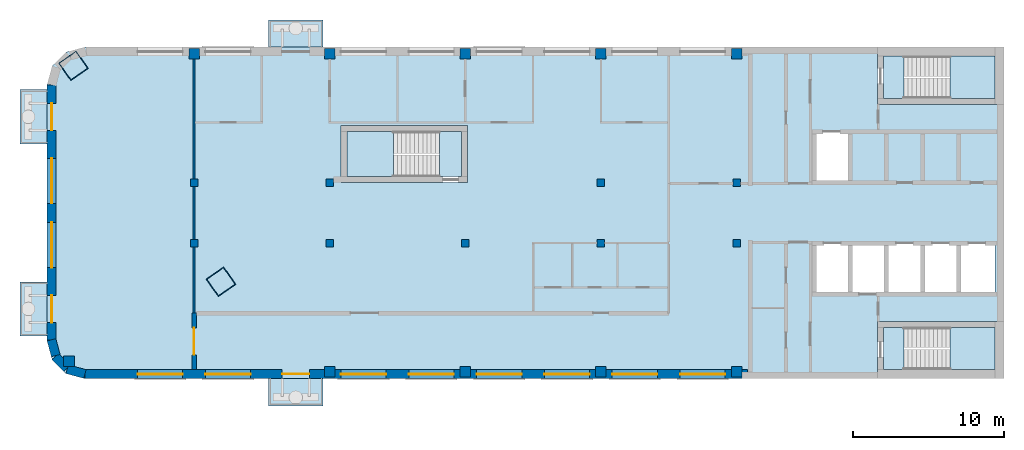
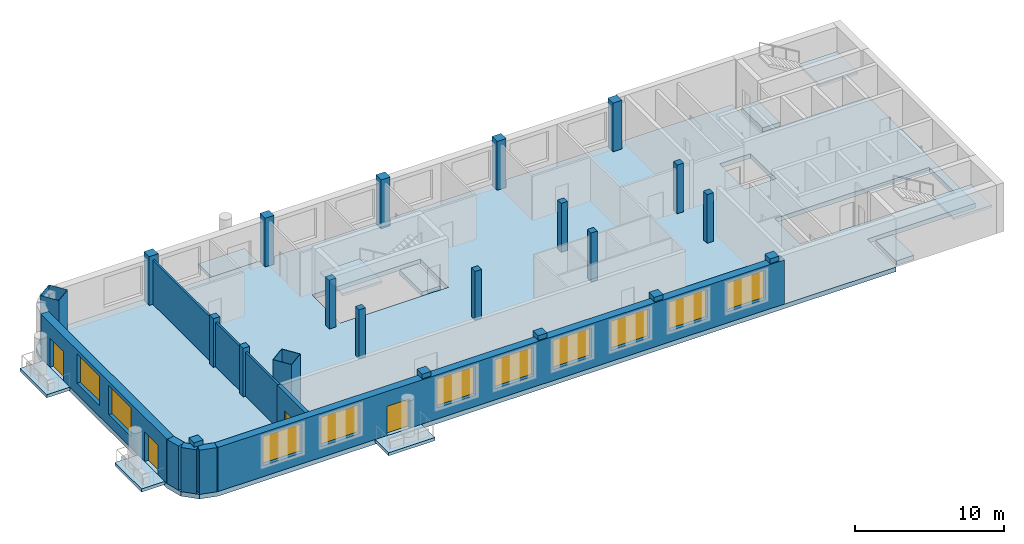
# One storey, part 1 of 7: 21 columns, 11 slabs, 10 windows, 7 walls, 4 doors, 14 openings, 3 elements without a shape of their own.
"""IFC4 building model written with IfcOpenShell, lengths in metres."""

from ifc_helpers import new_model, si_unit, direction, frame, frame_2d, origin, origin_2d, place, context, subcontext, project, spatial, polyline, rectangle, hollow_rectangle, outline, extrude, material, layer, layer_set, material_profile, profile_set, type_object, element, fill, aggregate, save


model = new_model("IFC4")

# Units and contexts
model_context = context("Model", 3, precision=1e-05, world=origin(), true_north=direction((0.0, 1.0)))
body_context = subcontext(model_context, "Body", "Model", "MODEL_VIEW")
ifc_project = project(units=[si_unit("LENGTHUNIT", "METRE"), si_unit("AREAUNIT", "SQUARE_METRE"), si_unit("VOLUMEUNIT", "CUBIC_METRE"), si_unit("PLANEANGLEUNIT", "RADIAN"), si_unit("MASSUNIT", "GRAM", prefix="KILO")], contexts=[model_context])

# Site, building, storey
site_placement = place(None, origin())
site = spatial("IfcSite", under=ifc_project, at=site_placement, CompositionType="ELEMENT")
building_placement = place(site_placement, origin())
building = spatial("IfcBuilding", under=site, at=building_placement, Name="Skarvind Civic Tower", CompositionType="ELEMENT")
storey_placement = place(building_placement, frame((0.0, 0.0, 241.5)))
storey = spatial("IfcBuildingStorey", under=building, at=storey_placement, Name="L57", CompositionType="ELEMENT", Elevation=241.5)

# Columns
ifc_material_1 = material(Name="Concrete C60", Category="concrete")
ifc_material_profile_1 = material_profile(ifc_material_1, rectangle(XDim=0.5, YDim=0.5, at=origin_2d()), Name="RC-500x500")
ifc_profile_set_1 = profile_set([ifc_material_profile_1], Name="Concrete C60")
column_type_1 = type_object("IfcColumnType", Name="Column RC-500x500 C60", PredefinedType="COLUMN", material=ifc_profile_set_1)
for number, where, z_axis, x_axis, name in (
    (1, (54.25, 130.0, 0.0), (0.0, 0.0, 1.0), (1.0, 0.0, 0.0), "Column wing 1 north inner 02 L57"),
    (2, (63.25, 130.0, 0.0), (0.0, 0.0, 1.0), (1.0, 0.0, 0.0), "Column wing 1 north inner 03 L57"),
    (3, (81.25, 130.0, 0.0), (0.0, 0.0, 1.0), (1.0, 0.0, 0.0), "Column wing 1 north inner 05 L57"),
    (4, (90.25, 130.0, 0.0), (0.0, 0.0, 1.0), (1.0, 0.0, 0.0), "Column wing 1 north inner 06 L57"),
    (5, (54.25, 126.0, 0.0), (0.0, 0.0, 1.0), (1.0, 0.0, 0.0), "Column wing 1 south inner 02 L57"),
    (6, (63.25, 126.0, 0.0), (0.0, 0.0, 1.0), (1.0, 0.0, 0.0), "Column wing 1 south inner 03 L57"),
    (7, (72.25, 126.0, 0.0), (0.0, 0.0, 1.0), (1.0, 0.0, 0.0), "Column wing 1 south inner 04 L57"),
    (8, (81.25, 126.0, 0.0), (0.0, 0.0, 1.0), (1.0, 0.0, 0.0), "Column wing 1 south inner 05 L57"),
    (9, (90.25, 126.0, 0.0), (0.0, 0.0, 1.0), (1.0, 0.0, 0.0), "Column wing 1 south inner 06 L57"),
):
    element("IfcColumn", number, at=place(storey_placement, frame(where, z_axis=z_axis, x_axis=x_axis)), inside=storey, type_object=column_type_1, Name=name, PredefinedType="COLUMN", context=body_context, shape_type="SweptSolid", body=[
        extrude(rectangle(XDim=0.5, YDim=0.5, at=origin_2d()), origin(), (0.0, 0.0, 1.0), 4.0),
    ])
ifc_material_profile_2 = material_profile(ifc_material_1, rectangle(XDim=0.699951171875, YDim=0.699951171875, at=origin_2d()), Name="RC-700x700")
ifc_profile_set_2 = profile_set([ifc_material_profile_2], Name="Concrete C60")
column_type_2 = type_object("IfcColumnType", Name="Column RC-700x700 C60", PredefinedType="COLUMN", material=ifc_profile_set_2)
for number, where, z_axis, x_axis, name in (
    (10, (54.25, 138.550048828125, 0.0), (0.0, 0.0, 1.0), (1.0, 0.0, 0.0), "Column wing 1 north perimeter 02 L57"),
    (11, (63.25, 138.550048828125, 0.0), (0.0, 0.0, 1.0), (1.0, 0.0, 0.0), "Column wing 1 north perimeter 03 L57"),
    (12, (72.25, 138.550048828125, 0.0), (0.0, 0.0, 1.0), (1.0, 0.0, 0.0), "Column wing 1 north perimeter 04 L57"),
    (13, (81.25, 138.550048828125, 0.0), (0.0, 0.0, 1.0), (1.0, 0.0, 0.0), "Column wing 1 north perimeter 05 L57"),
    (14, (90.25, 138.550048828125, 0.0), (0.0, 0.0, 1.0), (1.0, 0.0, 0.0), "Column wing 1 north perimeter 06 L57"),
    (15, (45.95166015625, 118.151611328125, 0.0), (0.0, 0.0, 1.0), (1.0, 0.0, 0.0), "Column wing 1 south perimeter 01 L57"),
    (16, (63.25, 117.449951171875, 0.0), (0.0, 0.0, 1.0), (1.0, 0.0, 0.0), "Column wing 1 south perimeter 03 L57"),
    (17, (72.25, 117.449951171875, 0.0), (0.0, 0.0, 1.0), (1.0, 0.0, 0.0), "Column wing 1 south perimeter 04 L57"),
    (18, (81.25, 117.449951171875, 0.0), (0.0, 0.0, 1.0), (1.0, 0.0, 0.0), "Column wing 1 south perimeter 05 L57"),
    (19, (90.25, 117.449951171875, 0.0), (0.0, 0.0, 1.0), (1.0, 0.0, 0.0), "Column wing 1 south perimeter 06 L57"),
):
    element("IfcColumn", number, at=place(storey_placement, frame(where, z_axis=z_axis, x_axis=x_axis)), inside=storey, type_object=column_type_2, Name=name, PredefinedType="COLUMN", context=body_context, shape_type="SweptSolid", body=[
        extrude(rectangle(XDim=0.699951171875, YDim=0.699951171875, at=origin_2d()), origin(), (0.0, 0.0, 1.0), 4.0),
    ])
ifc_material_2 = material(Name="Composite concrete-filled steel tube, Steel SM355 with Concrete C60", Category="concrete")
ifc_material_profile_3 = material_profile(ifc_material_2, hollow_rectangle(XDim=1.39990234375, YDim=1.39990234375, WallThickness=0.02490234375, at=origin_2d()), Name="BOX-1400x1400x25")
ifc_profile_set_3 = profile_set([ifc_material_profile_3], Name="Composite concrete-filled steel tube, Steel SM355 with Concrete C60")
column_type_3 = type_object("IfcColumnType", Name="Mega column BOX-1400x1400x25 filled C60", PredefinedType="COLUMN", material=ifc_profile_set_3)
for number, where, z_axis, x_axis, name in (
    (20, (46.2470703125, 137.762451171875, 0.0), (0.0, 0.0, 1.0), (0.573576436351, -0.819152044289, 0.0), "Mega column 2 L57"),
    (21, (56.0361328125, 123.43017578125, 0.0), (0.0, 0.0, 1.0), (0.573576436351, -0.819152044289, 0.0), "Mega column 4 L57"),
):
    element("IfcColumn", number, at=place(storey_placement, frame(where, z_axis=z_axis, x_axis=x_axis)), inside=storey, type_object=column_type_3, Name=name, PredefinedType="COLUMN", context=body_context, shape_type="SweptSolid", body=[
        extrude(hollow_rectangle(XDim=1.39990234375, YDim=1.39990234375, WallThickness=0.02490234375, at=origin_2d()), origin(), (0.0, 0.0, 1.0), 4.0),
    ])

# Slabs
ifc_material_3 = material(Name="Concrete C50", Category="concrete")
ifc_layer_1 = layer(ifc_material_3, 0.375)
ifc_layer_set_1 = layer_set([ifc_layer_1], Name="Floor slab 375 C50")
slab_type_1 = type_object("IfcSlabType", Name="Floor slab 375 C50", PredefinedType="FLOOR", material=ifc_layer_set_1)
slab_1_placement = place(storey_placement, frame((0.0, 0.0, -0.375)))
element("IfcSlab", 22, at=slab_1_placement, inside=storey, type_object=slab_type_1, Name="Floor slab L57 1", PredefinedType="FLOOR", context=body_context, shape_type="SweptSolid", body=[
    extrude(outline(polyline([(99.60009765625, 117.0), (99.60009765625, 120.800048828125), (108.0, 120.800048828125), (108.0, 135.199951171875), (99.60009765625, 135.199951171875), (99.60009765625, 139.0), (47.0, 139.0), (45.75, 138.6650390625), (44.8349609375, 137.75), (44.5, 136.5), (44.5, 119.5), (44.8349609375, 118.25), (45.75, 117.3349609375), (47.0, 117.0), (99.60009765625, 117.0)]), holes=[polyline([(95.39990234375, 126.0), (97.800048828125, 126.0), (100.199951171875, 126.0), (102.60009765625, 126.0), (105.0, 126.0), (107.39990234375, 126.0), (107.39990234375, 122.60009765625), (105.0, 122.60009765625), (102.60009765625, 122.60009765625), (100.199951171875, 122.60009765625), (97.800048828125, 122.60009765625), (95.39990234375, 122.60009765625), (95.39990234375, 126.0)]), polyline([(95.39990234375, 133.39990234375), (97.800048828125, 133.39990234375), (97.800048828125, 130.0), (95.39990234375, 130.0), (95.39990234375, 133.39990234375)]), polyline([(64.0, 130.0), (64.0, 133.800048828125), (72.39990234375, 133.800048828125), (72.39990234375, 130.0), (64.0, 130.0)])]), origin(), (0.0, 0.0, 1.0), 0.375),
])
ifc_material_4 = material(Name="Precast concrete C40/50", Category="concrete")
ifc_layer_2 = layer(ifc_material_4, 0.25)
ifc_layer_set_2 = layer_set([ifc_layer_2], Name="SX3 BALCONY SLAB 250")
slab_type_2 = type_object("IfcSlabType", Name="SX3 BALCONY SLAB 250", PredefinedType="FLOOR", material=ifc_layer_set_2)
slab_2_placement = place(storey_placement, frame((0.0, 0.0, -0.25)))
element("IfcSlab", 23, at=slab_2_placement, inside=storey, type_object=slab_type_2, Name="TREE BALCONY SLAB", PredefinedType="FLOOR", context=body_context, shape_type="SweptSolid", body=[
    extrude(outline(polyline([(59.199951171875, 139.0), (62.800048828125, 139.0), (62.800048828125, 140.800048828125), (59.199951171875, 140.800048828125), (59.199951171875, 139.0)])), origin(), (0.0, 0.0, 1.0), 0.25),
])
slab_3_placement = place(storey_placement, frame((0.0, 0.0, -0.25)))
element("IfcSlab", 24, at=slab_3_placement, inside=storey, type_object=slab_type_2, Name="TREE BALCONY SLAB", PredefinedType="FLOOR", context=body_context, shape_type="SweptSolid", body=[
    extrude(outline(polyline([(44.5, 119.824951171875), (44.5, 123.425048828125), (42.699951171875, 123.425048828125), (42.699951171875, 119.824951171875), (44.5, 119.824951171875)])), origin(), (0.0, 0.0, 1.0), 0.25),
])
slab_4_placement = place(storey_placement, frame((0.0, 0.0, -0.25)))
element("IfcSlab", 25, at=slab_4_placement, inside=storey, type_object=slab_type_2, Name="TREE BALCONY SLAB", PredefinedType="FLOOR", context=body_context, shape_type="SweptSolid", body=[
    extrude(outline(polyline([(44.5, 132.574951171875), (44.5, 136.175048828125), (42.699951171875, 136.175048828125), (42.699951171875, 132.574951171875), (44.5, 132.574951171875)])), origin(), (0.0, 0.0, 1.0), 0.25),
])
slab_5_placement = place(storey_placement, frame((0.0, 0.0, -0.25)))
element("IfcSlab", 26, at=slab_5_placement, inside=storey, type_object=slab_type_2, Name="TREE BALCONY SLAB", PredefinedType="FLOOR", context=body_context, shape_type="SweptSolid", body=[
    extrude(outline(polyline([(62.800048828125, 117.0), (59.199951171875, 117.0), (59.199951171875, 115.199951171875), (62.800048828125, 115.199951171875), (62.800048828125, 117.0)])), origin(), (0.0, 0.0, 1.0), 0.25),
])
ifc_material_5 = material(Name="Concrete C40/50", Category="concrete")
ifc_layer_3 = layer(ifc_material_5, 0.375)
ifc_layer_set_3 = layer_set([ifc_layer_3], Name="Stair floor landing slab 375")
slab_type_3 = type_object("IfcSlabType", Name="Stair floor landing slab 375", PredefinedType="LANDING", material=ifc_layer_set_3)
slab_6_placement = place(storey_placement, frame((0.0, 0.0, -0.375)))
element("IfcSlab", 27, at=slab_6_placement, inside=storey, type_object=slab_type_3, Name="Stair floor landing", PredefinedType="LANDING", context=body_context, shape_type="SweptSolid", body=[
    extrude(outline(polyline([(101.3505859375, 138.400634765625), (101.3505859375, 135.599365234375), (99.99951171875, 135.599365234375), (99.99951171875, 138.400634765625), (101.3505859375, 138.400634765625)])), origin(), (0.0, 0.0, 1.0), 0.375),
])
slab_7_placement = place(storey_placement, frame((0.0, 0.0, -0.375)))
element("IfcSlab", 28, at=slab_7_placement, inside=storey, type_object=slab_type_3, Name="Stair floor landing", PredefinedType="LANDING", context=body_context, shape_type="SweptSolid", body=[
    extrude(outline(polyline([(101.3505859375, 120.400634765625), (101.3505859375, 117.599365234375), (99.99951171875, 117.599365234375), (99.99951171875, 120.400634765625), (101.3505859375, 120.400634765625)])), origin(), (0.0, 0.0, 1.0), 0.375),
])
slab_8_placement = place(storey_placement, frame((0.0, 0.0, -0.375)))
element("IfcSlab", 29, at=slab_8_placement, inside=storey, type_object=slab_type_3, Name="Stair floor landing", PredefinedType="LANDING", context=body_context, shape_type="SweptSolid", body=[
    extrude(outline(polyline([(70.54931640625, 130.3994140625), (70.54931640625, 133.400634765625), (72.00048828125, 133.400634765625), (72.00048828125, 130.3994140625), (70.54931640625, 130.3994140625)])), origin(), (0.0, 0.0, 1.0), 0.375),
])

# Stair, slab
stair_type_1 = type_object("IfcStairType", Name="Exit stair, half-turn, concrete", PredefinedType="HALF_TURN_STAIR", material=ifc_material_5)
stair_1_placement = place(storey_placement, origin())
stair_1 = element("IfcStair", 30, at=stair_1_placement, inside=storey, type_object=stair_type_1, Name="Exit stair C1S", PredefinedType="HALF_TURN_STAIR")
ifc_layer_4 = layer(ifc_material_5, 0.199951171875)
ifc_layer_set_4 = layer_set([ifc_layer_4], Name="Stair half landing slab")
slab_type_4 = type_object("IfcSlabType", Name="Stair half landing slab", PredefinedType="LANDING", material=ifc_layer_set_4)
slab_9_placement = place(storey_placement, frame((0.0, 0.0, 1.800048828125)))
slab_9 = element("IfcSlab", 31, at=slab_9_placement, type_object=slab_type_4, Name="ST-C1S landing 1", PredefinedType="LANDING", context=body_context, shape_type="SweptSolid", body=[
    extrude(outline(polyline([(104.429443359375, 135.599365234375), (104.429443359375, 138.400634765625), (107.400634765625, 138.400634765625), (107.400634765625, 135.599365234375), (104.429443359375, 135.599365234375)])), origin(), (0.0, 0.0, 1.0), 0.199951171875),
])
aggregate(stair_1, [slab_9])

stair_2_placement = place(storey_placement, origin())
stair_2 = element("IfcStair", 32, at=stair_2_placement, inside=storey, type_object=stair_type_1, Name="Exit stair C1N", PredefinedType="HALF_TURN_STAIR")
slab_10_placement = place(storey_placement, frame((0.0, 0.0, 1.800048828125)))
slab_10 = element("IfcSlab", 33, at=slab_10_placement, type_object=slab_type_4, Name="ST-C1N landing 1", PredefinedType="LANDING", context=body_context, shape_type="SweptSolid", body=[
    extrude(outline(polyline([(104.429443359375, 117.599365234375), (104.429443359375, 120.400634765625), (107.400634765625, 120.400634765625), (107.400634765625, 117.599365234375), (104.429443359375, 117.599365234375)])), origin(), (0.0, 0.0, 1.0), 0.199951171875),
])
aggregate(stair_2, [slab_10])

stair_type_2 = type_object("IfcStairType", Name="Exit stair 1450, half-turn, concrete", PredefinedType="HALF_TURN_STAIR", material=ifc_material_5)
stair_3_placement = place(storey_placement, origin())
stair_3 = element("IfcStair", 34, at=stair_3_placement, inside=storey, type_object=stair_type_2, Name="Exit stair CM", PredefinedType="HALF_TURN_STAIR")
slab_11_placement = place(storey_placement, frame((0.0, 0.0, 1.800048828125)))
slab_11 = element("IfcSlab", 35, at=slab_11_placement, type_object=slab_type_4, Name="ST-CM landing 1", PredefinedType="LANDING", context=body_context, shape_type="SweptSolid", body=[
    extrude(outline(polyline([(67.470703125, 133.400634765625), (67.470703125, 130.3994140625), (64.3994140625, 130.3994140625), (64.3994140625, 133.400634765625), (67.470703125, 133.400634765625)])), origin(), (0.0, 0.0, 1.0), 0.199951171875),
])
aggregate(stair_3, [slab_11])

# Wall, opening, door
ifc_material_6 = material(Name="Fire-rated gypsum board on steel studs", Category="steel")
ifc_layer_5 = layer(ifc_material_6, 0.300048828125)
ifc_layer_set_5 = layer_set([ifc_layer_5], Name="CORRIDOR WALL 300")
wall_type_1 = type_object("IfcWallType", Name="CORRIDOR WALL 300", PredefinedType="PARTITIONING", material=ifc_layer_set_5)
wall_1_placement = place(storey_placement, frame((54.25, 117.60009765625, 0.0), z_axis=(0.0, 0.0, 1.0), x_axis=(0.0, 1.0, 0.0)))
wall_1 = element("IfcWall", 36, at=wall_1_placement, inside=storey, type_object=wall_type_1, Name="Partition 57.001", PredefinedType="PARTITIONING", context=body_context, shape_type="SweptSolid", body=[
    extrude(rectangle(XDim=3.75, YDim=0.300048828125, at=frame_2d((1.875, 0.0))), origin(), (0.0, 0.0, 1.0), 3.625),
])
opening_1_placement = place(wall_1_placement, frame((0.9765625, 0.0, 0.0)))
opening_1 = element("IfcOpeningElement", 37, at=opening_1_placement, cuts=wall_1, Name="Opening L57-D011", PredefinedType="OPENING", context=body_context, shape_type="SweptSolid", body=[
    extrude(rectangle(XDim=1.800048828125, YDim=2.10009765625, at=frame_2d((0.89990234375, 1.050048828125))), frame((0.0, 0.159912109375, 0.0), z_axis=(0.0, -1.0, 0.0), x_axis=(1.0, 0.0, 0.0)), (0.0, 0.0, 1.0), 0.320068359375),
])
ifc_material_7 = material(Name="Fire-rated timber door leaf", Category="wood")
door_type_1 = type_object("IfcDoorType", Name="FD4 1800x2100", OperationType="NOTDEFINED", PredefinedType="DOOR", material=ifc_material_7)
door_1_placement = place(opening_1_placement, origin())
door_1 = element("IfcDoor", 38, at=door_1_placement, inside=storey, type_object=door_type_1, Name="Door L57-D011", OperationType="DOUBLE_DOOR_SINGLE_SWING", OverallHeight=2.10009765625, OverallWidth=1.800048828125, PredefinedType="DOOR", context=body_context, shape_type="SweptSolid", body=[
    extrude(rectangle(XDim=1.800048828125, YDim=2.10009765625, at=frame_2d((0.89990234375, 1.050048828125))), frame((0.0, 0.02490234375, 0.0), z_axis=(0.0, -1.0, 0.0), x_axis=(1.0, 0.0, 0.0)), (0.0, 0.0, 1.0), 0.050048828125),
])
fill(opening_1, door_1)

# Wall
ifc_material_8 = material(Name="Plasterboard partition on steel studs", Category="steel")
ifc_layer_6 = layer(ifc_material_8, 0.14990234375)
ifc_layer_set_6 = layer_set([ifc_layer_6], Name="PARTITION 150")
wall_type_2 = type_object("IfcWallType", Name="PARTITION 150", PredefinedType="PARTITIONING", material=ifc_layer_set_6)
wall_2_placement = place(storey_placement, frame((54.25, 121.35009765625, 0.0), z_axis=(0.0, 0.0, 1.0), x_axis=(0.0, 1.0, 0.0)))
element("IfcWall", 39, at=wall_2_placement, inside=storey, type_object=wall_type_2, Name="Partition 57.002", PredefinedType="PARTITIONING", context=body_context, shape_type="SweptSolid", body=[
    extrude(rectangle(XDim=17.0498046875, YDim=0.14990234375, at=frame_2d((8.52490234375, 0.0))), origin(), (0.0, 0.0, 1.0), 3.625),
])

# Wall, openings, doors, windows
ifc_material_9 = material(Name="Standing-seam zinc cladding on insulated backing")
ifc_layer_7 = layer(ifc_material_9, 0.60009765625)
ifc_layer_set_7 = layer_set([ifc_layer_7], Name="WX2 ZINC-CLAD FACADE WALL 600")
wall_type_3 = type_object("IfcWallType", Name="WX2 ZINC-CLAD FACADE WALL 600", PredefinedType="SOLIDWALL", material=ifc_layer_set_7)
wall_3_placement = place(storey_placement, frame((44.800048828125, 119.570068359375, 0.0), z_axis=(0.0, 0.0, 1.0), x_axis=(0.0, 1.0, 0.0)))
wall_3 = element("IfcWall", 40, at=wall_3_placement, inside=storey, type_object=wall_type_3, Name="ZINC-CLAD FACADE WALL", PredefinedType="SOLIDWALL", context=body_context, shape_type="SweptSolid", body=[
    extrude(rectangle(XDim=16.929931640625, YDim=0.60009765625, at=frame_2d((8.46484375, 0.0))), origin(), (0.0, 0.0, 1.0), 3.625),
])
opening_2_placement = place(wall_3_placement, frame((1.155029296875, 0.0, 0.0)))
opening_2 = element("IfcOpeningElement", 41, at=opening_2_placement, cuts=wall_3, Name="Opening DX3", PredefinedType="OPENING", context=body_context, shape_type="SweptSolid", body=[
    extrude(rectangle(XDim=1.800048828125, YDim=2.39990234375, at=frame_2d((0.89990234375, 1.199951171875))), frame((0.0, 0.31005859375, 0.0), z_axis=(0.0, -1.0, 0.0), x_axis=(1.0, 0.0, 0.0)), (0.0, 0.0, 1.0), 0.6201171875),
])
opening_3_placement = place(wall_3_placement, frame((4.804931640625, 0.0, 0.89990234375)))
opening_3 = element("IfcOpeningElement", 42, at=opening_3_placement, cuts=wall_3, Name="Opening WN4", PredefinedType="OPENING", context=body_context, shape_type="SweptSolid", body=[
    extrude(rectangle(XDim=3.0, YDim=2.39990234375, at=frame_2d((1.5, 1.199951171875))), frame((0.0, 0.31005859375, 0.0), z_axis=(0.0, -1.0, 0.0), x_axis=(1.0, 0.0, 0.0)), (0.0, 0.0, 1.0), 0.6201171875),
])
opening_4_placement = place(wall_3_placement, frame((9.054931640625, 0.0, 0.89990234375)))
opening_4 = element("IfcOpeningElement", 43, at=opening_4_placement, cuts=wall_3, Name="Opening WN4", PredefinedType="OPENING", context=body_context, shape_type="SweptSolid", body=[
    extrude(rectangle(XDim=3.0, YDim=2.39990234375, at=frame_2d((1.5, 1.199951171875))), frame((0.0, 0.31005859375, 0.0), z_axis=(0.0, -1.0, 0.0), x_axis=(1.0, 0.0, 0.0)), (0.0, 0.0, 1.0), 0.6201171875),
])
opening_5_placement = place(wall_3_placement, frame((13.905029296875, 0.0, 0.0)))
opening_5 = element("IfcOpeningElement", 44, at=opening_5_placement, cuts=wall_3, Name="Opening DX3", PredefinedType="OPENING", context=body_context, shape_type="SweptSolid", body=[
    extrude(rectangle(XDim=1.800048828125, YDim=2.39990234375, at=frame_2d((0.89990234375, 1.199951171875))), frame((0.0, 0.31005859375, 0.0), z_axis=(0.0, -1.0, 0.0), x_axis=(1.0, 0.0, 0.0)), (0.0, 0.0, 1.0), 0.6201171875),
])
ifc_material_10 = material(Name="Timber and glass doorset", Category="wood")
door_type_2 = type_object("IfcDoorType", Name="DX3 TERRACE DOORS 1800 x 2400", OperationType="NOTDEFINED", PredefinedType="DOOR", material=ifc_material_10)
door_2_placement = place(opening_2_placement, origin())
door_2 = element("IfcDoor", 45, at=door_2_placement, inside=storey, type_object=door_type_2, Name="TERRACE DOORS", OperationType="DOUBLE_DOOR_SINGLE_SWING", OverallHeight=2.39990234375, OverallWidth=1.800048828125, PredefinedType="DOOR", context=body_context, shape_type="SweptSolid", body=[
    extrude(rectangle(XDim=1.800048828125, YDim=2.39990234375, at=frame_2d((0.89990234375, 1.199951171875))), frame((0.0, 0.02490234375, 0.0), z_axis=(0.0, -1.0, 0.0), x_axis=(1.0, 0.0, 0.0)), (0.0, 0.0, 1.0), 0.050048828125),
])
fill(opening_2, door_2)
door_3_placement = place(opening_5_placement, origin())
door_3 = element("IfcDoor", 46, at=door_3_placement, inside=storey, type_object=door_type_2, Name="TERRACE DOORS", OperationType="DOUBLE_DOOR_SINGLE_SWING", OverallHeight=2.39990234375, OverallWidth=1.800048828125, PredefinedType="DOOR", context=body_context, shape_type="SweptSolid", body=[
    extrude(rectangle(XDim=1.800048828125, YDim=2.39990234375, at=frame_2d((0.89990234375, 1.199951171875))), frame((0.0, 0.02490234375, 0.0), z_axis=(0.0, -1.0, 0.0), x_axis=(1.0, 0.0, 0.0)), (0.0, 0.0, 1.0), 0.050048828125),
])
fill(opening_5, door_3)
ifc_material_11 = material(Name="Timber frame, double glazing, copper-lined reveal", Category="wood")
window_type = type_object("IfcWindowType", Name="WN4 COPPER-LINED WINDOW 3000 x 2400", PartitioningType="SINGLE_PANEL", PredefinedType="WINDOW", material=ifc_material_11)
window_1_placement = place(opening_3_placement, origin())
window_1 = element("IfcWindow", 47, at=window_1_placement, inside=storey, type_object=window_type, Name="WN4 WINDOW", OverallHeight=2.39990234375, OverallWidth=3.0, PartitioningType="SINGLE_PANEL", PredefinedType="WINDOW", context=body_context, shape_type="SweptSolid", body=[
    extrude(rectangle(XDim=3.0, YDim=2.39990234375, at=frame_2d((1.5, 1.199951171875))), frame((0.0, 0.030029296875, 0.0), z_axis=(0.0, -1.0, 0.0), x_axis=(1.0, 0.0, 0.0)), (0.0, 0.0, 1.0), 0.06005859375),
])
fill(opening_3, window_1)
window_2_placement = place(opening_4_placement, origin())
window_2 = element("IfcWindow", 48, at=window_2_placement, inside=storey, type_object=window_type, Name="WN4 WINDOW", OverallHeight=2.39990234375, OverallWidth=3.0, PartitioningType="SINGLE_PANEL", PredefinedType="WINDOW", context=body_context, shape_type="SweptSolid", body=[
    extrude(rectangle(XDim=3.0, YDim=2.39990234375, at=frame_2d((1.5, 1.199951171875))), frame((0.0, 0.030029296875, 0.0), z_axis=(0.0, -1.0, 0.0), x_axis=(1.0, 0.0, 0.0)), (0.0, 0.0, 1.0), 0.06005859375),
])
fill(opening_4, window_2)

# Walls
wall_4_placement = place(storey_placement, frame((45.0703125, 118.530517578125, 0.0), z_axis=(0.0, 0.0, 1.0), x_axis=(-0.25876985698, 0.965939004864, 0.0)))
element("IfcWall", 49, at=wall_4_placement, inside=storey, type_object=wall_type_3, Name="ZINC-CLAD FACADE WALL", PredefinedType="SOLIDWALL", context=body_context, shape_type="SweptSolid", body=[
    extrude(rectangle(XDim=1.083984375, YDim=0.60009765625, at=frame_2d((0.5419921875, 0.0))), origin(), (0.0, 0.0, 1.0), 3.625),
])
wall_5_placement = place(storey_placement, frame((45.813720703125, 117.695556640625, 0.0), z_axis=(0.0, 0.0, 1.0), x_axis=(-0.707106781187, 0.707106781187, 0.0)))
element("IfcWall", 50, at=wall_5_placement, inside=storey, type_object=wall_type_3, Name="ZINC-CLAD FACADE WALL", PredefinedType="SOLIDWALL", context=body_context, shape_type="SweptSolid", body=[
    extrude(rectangle(XDim=1.084228515625, YDim=0.60009765625, at=frame_2d((0.5419921875, 0.0))), origin(), (0.0, 0.0, 1.0), 3.625),
])
wall_6_placement = place(storey_placement, frame((47.010009765625, 117.307861328125, 0.0), z_axis=(0.0, 0.0, 1.0), x_axis=(-0.965909766102, 0.258878975098, 0.0)))
element("IfcWall", 51, at=wall_6_placement, inside=storey, type_object=wall_type_3, Name="ZINC-CLAD FACADE WALL", PredefinedType="SOLIDWALL", context=body_context, shape_type="SweptSolid", body=[
    extrude(rectangle(XDim=1.22412109375, YDim=0.60009765625, at=frame_2d((0.612060546875, 0.0))), origin(), (0.0, 0.0, 1.0), 3.625),
])

# Wall, openings, door, windows
wall_7_placement = place(storey_placement, frame((90.97998046875, 117.300048828125, 0.0), z_axis=(0.0, 0.0, 1.0), x_axis=(-1.0, 0.0, 0.0)))
wall_7 = element("IfcWall", 52, at=wall_7_placement, inside=storey, type_object=wall_type_3, Name="ZINC-CLAD FACADE WALL", PredefinedType="SOLIDWALL", context=body_context, shape_type="SweptSolid", body=[
    extrude(rectangle(XDim=43.97998046875, YDim=0.60009765625, at=frame_2d((21.989990234375, 0.0))), origin(), (0.0, 0.0, 1.0), 3.625),
])
opening_6_placement = place(wall_7_placement, frame((1.47998046875, 0.0, 0.89990234375)))
opening_6 = element("IfcOpeningElement", 53, at=opening_6_placement, cuts=wall_7, Name="Opening WN4", PredefinedType="OPENING", context=body_context, shape_type="SweptSolid", body=[
    extrude(rectangle(XDim=3.0, YDim=2.39990234375, at=frame_2d((1.5, 1.199951171875))), frame((0.0, 0.31005859375, 0.0), z_axis=(0.0, -1.0, 0.0), x_axis=(1.0, 0.0, 0.0)), (0.0, 0.0, 1.0), 0.6201171875),
])
opening_7_placement = place(wall_7_placement, frame((5.97998046875, 0.0, 0.89990234375)))
opening_7 = element("IfcOpeningElement", 54, at=opening_7_placement, cuts=wall_7, Name="Opening WN4", PredefinedType="OPENING", context=body_context, shape_type="SweptSolid", body=[
    extrude(rectangle(XDim=3.0, YDim=2.39990234375, at=frame_2d((1.5, 1.199951171875))), frame((0.0, 0.31005859375, 0.0), z_axis=(0.0, -1.0, 0.0), x_axis=(1.0, 0.0, 0.0)), (0.0, 0.0, 1.0), 0.6201171875),
])
opening_8_placement = place(wall_7_placement, frame((10.47998046875, 0.0, 0.89990234375)))
opening_8 = element("IfcOpeningElement", 55, at=opening_8_placement, cuts=wall_7, Name="Opening WN4", PredefinedType="OPENING", context=body_context, shape_type="SweptSolid", body=[
    extrude(rectangle(XDim=3.0, YDim=2.39990234375, at=frame_2d((1.5, 1.199951171875))), frame((0.0, 0.31005859375, 0.0), z_axis=(0.0, -1.0, 0.0), x_axis=(1.0, 0.0, 0.0)), (0.0, 0.0, 1.0), 0.6201171875),
])
opening_9_placement = place(wall_7_placement, frame((14.97998046875, 0.0, 0.89990234375)))
opening_9 = element("IfcOpeningElement", 56, at=opening_9_placement, cuts=wall_7, Name="Opening WN4", PredefinedType="OPENING", context=body_context, shape_type="SweptSolid", body=[
    extrude(rectangle(XDim=3.0, YDim=2.39990234375, at=frame_2d((1.5, 1.199951171875))), frame((0.0, 0.31005859375, 0.0), z_axis=(0.0, -1.0, 0.0), x_axis=(1.0, 0.0, 0.0)), (0.0, 0.0, 1.0), 0.6201171875),
])
opening_10_placement = place(wall_7_placement, frame((19.47998046875, 0.0, 0.89990234375)))
opening_10 = element("IfcOpeningElement", 57, at=opening_10_placement, cuts=wall_7, Name="Opening WN4", PredefinedType="OPENING", context=body_context, shape_type="SweptSolid", body=[
    extrude(rectangle(XDim=3.0, YDim=2.39990234375, at=frame_2d((1.5, 1.199951171875))), frame((0.0, 0.31005859375, 0.0), z_axis=(0.0, -1.0, 0.0), x_axis=(1.0, 0.0, 0.0)), (0.0, 0.0, 1.0), 0.6201171875),
])
opening_11_placement = place(wall_7_placement, frame((23.97998046875, 0.0, 0.89990234375)))
opening_11 = element("IfcOpeningElement", 58, at=opening_11_placement, cuts=wall_7, Name="Opening WN4", PredefinedType="OPENING", context=body_context, shape_type="SweptSolid", body=[
    extrude(rectangle(XDim=3.0, YDim=2.39990234375, at=frame_2d((1.5, 1.199951171875))), frame((0.0, 0.31005859375, 0.0), z_axis=(0.0, -1.0, 0.0), x_axis=(1.0, 0.0, 0.0)), (0.0, 0.0, 1.0), 0.6201171875),
])
opening_12_placement = place(wall_7_placement, frame((29.080078125, 0.0, 0.0)))
opening_12 = element("IfcOpeningElement", 59, at=opening_12_placement, cuts=wall_7, Name="Opening DX3", PredefinedType="OPENING", context=body_context, shape_type="SweptSolid", body=[
    extrude(rectangle(XDim=1.800048828125, YDim=2.39990234375, at=frame_2d((0.89990234375, 1.199951171875))), frame((0.0, 0.31005859375, 0.0), z_axis=(0.0, -1.0, 0.0), x_axis=(1.0, 0.0, 0.0)), (0.0, 0.0, 1.0), 0.6201171875),
])
opening_13_placement = place(wall_7_placement, frame((32.97998046875, 0.0, 0.89990234375)))
opening_13 = element("IfcOpeningElement", 60, at=opening_13_placement, cuts=wall_7, Name="Opening WN4", PredefinedType="OPENING", context=body_context, shape_type="SweptSolid", body=[
    extrude(rectangle(XDim=3.0, YDim=2.39990234375, at=frame_2d((1.5, 1.199951171875))), frame((0.0, 0.31005859375, 0.0), z_axis=(0.0, -1.0, 0.0), x_axis=(1.0, 0.0, 0.0)), (0.0, 0.0, 1.0), 0.6201171875),
])
opening_14_placement = place(wall_7_placement, frame((37.47998046875, 0.0, 0.89990234375)))
opening_14 = element("IfcOpeningElement", 61, at=opening_14_placement, cuts=wall_7, Name="Opening WN4", PredefinedType="OPENING", context=body_context, shape_type="SweptSolid", body=[
    extrude(rectangle(XDim=3.0, YDim=2.39990234375, at=frame_2d((1.5, 1.199951171875))), frame((0.0, 0.31005859375, 0.0), z_axis=(0.0, -1.0, 0.0), x_axis=(1.0, 0.0, 0.0)), (0.0, 0.0, 1.0), 0.6201171875),
])
door_4_placement = place(opening_12_placement, origin())
door_4 = element("IfcDoor", 62, at=door_4_placement, inside=storey, type_object=door_type_2, Name="TERRACE DOORS", OperationType="DOUBLE_DOOR_SINGLE_SWING", OverallHeight=2.39990234375, OverallWidth=1.800048828125, PredefinedType="DOOR", context=body_context, shape_type="SweptSolid", body=[
    extrude(rectangle(XDim=1.800048828125, YDim=2.39990234375, at=frame_2d((0.89990234375, 1.199951171875))), frame((0.0, 0.02490234375, 0.0), z_axis=(0.0, -1.0, 0.0), x_axis=(1.0, 0.0, 0.0)), (0.0, 0.0, 1.0), 0.050048828125),
])
fill(opening_12, door_4)
window_3_placement = place(opening_6_placement, origin())
window_3 = element("IfcWindow", 63, at=window_3_placement, inside=storey, type_object=window_type, Name="WN4 WINDOW", OverallHeight=2.39990234375, OverallWidth=3.0, PartitioningType="SINGLE_PANEL", PredefinedType="WINDOW", context=body_context, shape_type="SweptSolid", body=[
    extrude(rectangle(XDim=3.0, YDim=2.39990234375, at=frame_2d((1.5, 1.199951171875))), frame((0.0, 0.030029296875, 0.0), z_axis=(0.0, -1.0, 0.0), x_axis=(1.0, 0.0, 0.0)), (0.0, 0.0, 1.0), 0.06005859375),
])
fill(opening_6, window_3)
window_4_placement = place(opening_7_placement, origin())
window_4 = element("IfcWindow", 64, at=window_4_placement, inside=storey, type_object=window_type, Name="WN4 WINDOW", OverallHeight=2.39990234375, OverallWidth=3.0, PartitioningType="SINGLE_PANEL", PredefinedType="WINDOW", context=body_context, shape_type="SweptSolid", body=[
    extrude(rectangle(XDim=3.0, YDim=2.39990234375, at=frame_2d((1.5, 1.199951171875))), frame((0.0, 0.030029296875, 0.0), z_axis=(0.0, -1.0, 0.0), x_axis=(1.0, 0.0, 0.0)), (0.0, 0.0, 1.0), 0.06005859375),
])
fill(opening_7, window_4)
window_5_placement = place(opening_8_placement, origin())
window_5 = element("IfcWindow", 65, at=window_5_placement, inside=storey, type_object=window_type, Name="WN4 WINDOW", OverallHeight=2.39990234375, OverallWidth=3.0, PartitioningType="SINGLE_PANEL", PredefinedType="WINDOW", context=body_context, shape_type="SweptSolid", body=[
    extrude(rectangle(XDim=3.0, YDim=2.39990234375, at=frame_2d((1.5, 1.199951171875))), frame((0.0, 0.030029296875, 0.0), z_axis=(0.0, -1.0, 0.0), x_axis=(1.0, 0.0, 0.0)), (0.0, 0.0, 1.0), 0.06005859375),
])
fill(opening_8, window_5)
window_6_placement = place(opening_9_placement, origin())
window_6 = element("IfcWindow", 66, at=window_6_placement, inside=storey, type_object=window_type, Name="WN4 WINDOW", OverallHeight=2.39990234375, OverallWidth=3.0, PartitioningType="SINGLE_PANEL", PredefinedType="WINDOW", context=body_context, shape_type="SweptSolid", body=[
    extrude(rectangle(XDim=3.0, YDim=2.39990234375, at=frame_2d((1.5, 1.199951171875))), frame((0.0, 0.030029296875, 0.0), z_axis=(0.0, -1.0, 0.0), x_axis=(1.0, 0.0, 0.0)), (0.0, 0.0, 1.0), 0.06005859375),
])
fill(opening_9, window_6)
window_7_placement = place(opening_10_placement, origin())
window_7 = element("IfcWindow", 67, at=window_7_placement, inside=storey, type_object=window_type, Name="WN4 WINDOW", OverallHeight=2.39990234375, OverallWidth=3.0, PartitioningType="SINGLE_PANEL", PredefinedType="WINDOW", context=body_context, shape_type="SweptSolid", body=[
    extrude(rectangle(XDim=3.0, YDim=2.39990234375, at=frame_2d((1.5, 1.199951171875))), frame((0.0, 0.030029296875, 0.0), z_axis=(0.0, -1.0, 0.0), x_axis=(1.0, 0.0, 0.0)), (0.0, 0.0, 1.0), 0.06005859375),
])
fill(opening_10, window_7)
window_8_placement = place(opening_11_placement, origin())
window_8 = element("IfcWindow", 68, at=window_8_placement, inside=storey, type_object=window_type, Name="WN4 WINDOW", OverallHeight=2.39990234375, OverallWidth=3.0, PartitioningType="SINGLE_PANEL", PredefinedType="WINDOW", context=body_context, shape_type="SweptSolid", body=[
    extrude(rectangle(XDim=3.0, YDim=2.39990234375, at=frame_2d((1.5, 1.199951171875))), frame((0.0, 0.030029296875, 0.0), z_axis=(0.0, -1.0, 0.0), x_axis=(1.0, 0.0, 0.0)), (0.0, 0.0, 1.0), 0.06005859375),
])
fill(opening_11, window_8)
window_9_placement = place(opening_13_placement, origin())
window_9 = element("IfcWindow", 69, at=window_9_placement, inside=storey, type_object=window_type, Name="WN4 WINDOW", OverallHeight=2.39990234375, OverallWidth=3.0, PartitioningType="SINGLE_PANEL", PredefinedType="WINDOW", context=body_context, shape_type="SweptSolid", body=[
    extrude(rectangle(XDim=3.0, YDim=2.39990234375, at=frame_2d((1.5, 1.199951171875))), frame((0.0, 0.030029296875, 0.0), z_axis=(0.0, -1.0, 0.0), x_axis=(1.0, 0.0, 0.0)), (0.0, 0.0, 1.0), 0.06005859375),
])
fill(opening_13, window_9)
window_10_placement = place(opening_14_placement, origin())
window_10 = element("IfcWindow", 70, at=window_10_placement, inside=storey, type_object=window_type, Name="WN4 WINDOW", OverallHeight=2.39990234375, OverallWidth=3.0, PartitioningType="SINGLE_PANEL", PredefinedType="WINDOW", context=body_context, shape_type="SweptSolid", body=[
    extrude(rectangle(XDim=3.0, YDim=2.39990234375, at=frame_2d((1.5, 1.199951171875))), frame((0.0, 0.030029296875, 0.0), z_axis=(0.0, -1.0, 0.0), x_axis=(1.0, 0.0, 0.0)), (0.0, 0.0, 1.0), 0.06005859375),
])
fill(opening_14, window_10)

save(model, "model.ifc")
